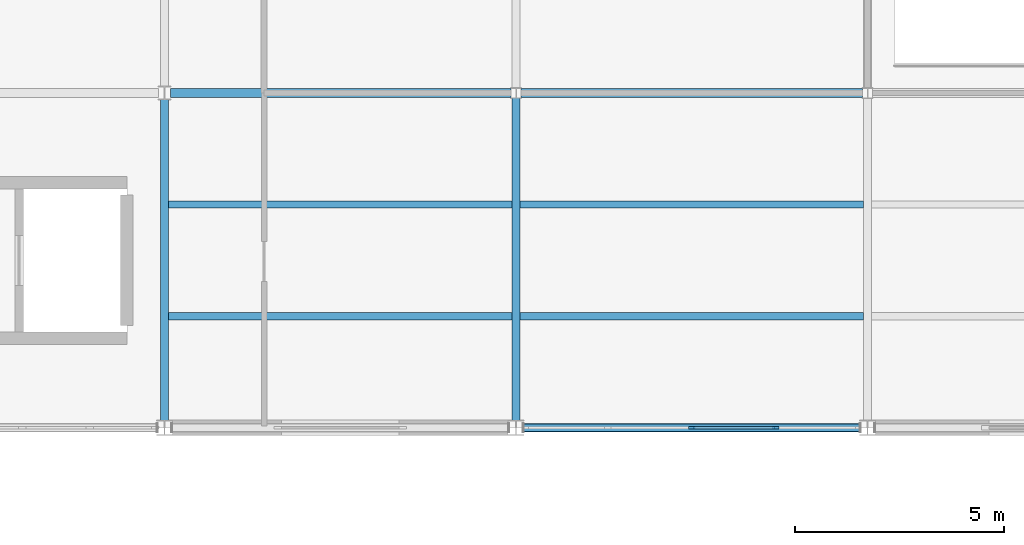
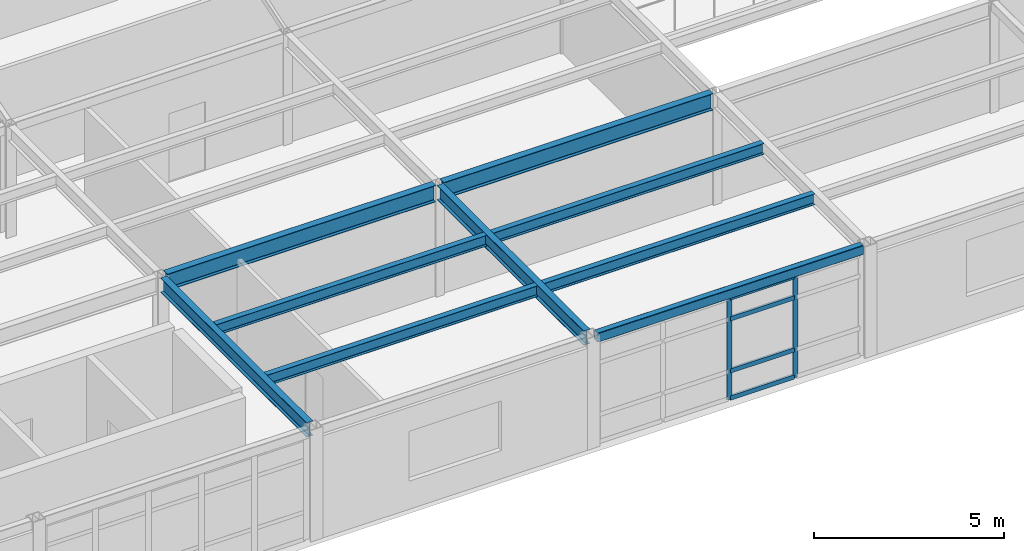
# One storey, part 11 of 96: 9 beams, 6 members, 1 element without a shape of its own.
"""IFC4 building model written with IfcOpenShell, lengths in metres."""

from ifc_helpers import new_model, si_unit, direction, frame, origin, origin_2d, place, context, subcontext, project, spatial, rectangle, hollow_rectangle, i_section, extrude, material, layer, layer_set, material_profile, profile_set, type_object, element, aggregate, save


model = new_model("IFC4")

# Units and contexts
model_context = context("Model", 3, precision=1e-05, world=origin(), true_north=direction((0.0, 1.0)))
body_context = subcontext(model_context, "Body", "Model", "MODEL_VIEW")
ifc_project = project(units=[si_unit("LENGTHUNIT", "METRE"), si_unit("AREAUNIT", "SQUARE_METRE"), si_unit("VOLUMEUNIT", "CUBIC_METRE"), si_unit("PLANEANGLEUNIT", "RADIAN"), si_unit("MASSUNIT", "GRAM", prefix="KILO")], contexts=[model_context])

# Site, building, storey
site_placement = place(None, origin())
site = spatial("IfcSite", under=ifc_project, at=site_placement, CompositionType="ELEMENT")
building_placement = place(site_placement, origin())
building = spatial("IfcBuilding", under=site, at=building_placement, Name="Kranzveld Transit Interchange", CompositionType="ELEMENT")
storey_placement = place(building_placement, frame((0.0, 0.0, 9.52001953125)))
storey = spatial("IfcBuildingStorey", under=building, at=storey_placement, Name="L02", CompositionType="ELEMENT", Elevation=9.52001953125)

# Beams
ifc_material_1 = material(Name="Steel S355JR", Category="steel")
ifc_material_profile_1 = material_profile(ifc_material_1, i_section(OverallWidth=0.19189453125, OverallDepth=0.46337890625, WebThickness=0.010498046875, FlangeThickness=0.017578125, FilletRadius=0.01025390625, at=origin_2d()), Name="UB 457x191x89")
ifc_profile_set_1 = profile_set([ifc_material_profile_1], Name="Steel S355JR")
beam_type_1 = type_object("IfcBeamType", Name="Beam Steel UB 457x191x89 S355JR", PredefinedType="BEAM", material=ifc_profile_set_1)
beam_1_placement = place(storey_placement, frame((16.800048828125, 16.17724609375, 3.33837890625), z_axis=(0.0, 1.0, 0.0), x_axis=(-1.0, 0.0, 0.0)))
element("IfcBeam", 1, at=beam_1_placement, inside=storey, type_object=beam_type_1, Name="L02 Girder 03/C-D", PredefinedType="BEAM", context=body_context, shape_type="SweptSolid", body=[
    extrude(i_section(OverallWidth=0.19189453125, OverallDepth=0.46337890625, WebThickness=0.010498046875, FlangeThickness=0.017578125, FilletRadius=0.01025390625, at=origin_2d()), origin(), (0.0, 0.0, 1.0), 7.662841796875),
])
beam_2_placement = place(storey_placement, frame((25.199951171875, 16.17724609375, 3.33837890625), z_axis=(0.0, 1.0, 0.0), x_axis=(-1.0, 0.0, 0.0)))
element("IfcBeam", 2, at=beam_2_placement, inside=storey, type_object=beam_type_1, Name="L02 Girder 04/C-D", PredefinedType="BEAM", context=body_context, shape_type="SweptSolid", body=[
    extrude(i_section(OverallWidth=0.19189453125, OverallDepth=0.46337890625, WebThickness=0.010498046875, FlangeThickness=0.017578125, FilletRadius=0.01025390625, at=origin_2d()), origin(), (0.0, 0.0, 1.0), 7.699462890625),
])

# Curtain wall, members
ifc_material_2 = material(Name="Bronze-anodised thermally broken aluminium", Category="aluminium")
ifc_layer = layer(ifc_material_2, 0.159912109375)
ifc_layer_set = layer_set([ifc_layer], Name="Bronze-anodised thermally broken aluminium")
curtain_wall_type = type_object("IfcCurtainWallType", Name="Bus Boarding Glazed Screen CW-3", PredefinedType="USERDEFINED", material=ifc_layer_set)
curtain_wall_placement = place(storey_placement, origin())
curtain_wall = element("IfcCurtainWall", 3, at=curtain_wall_placement, inside=storey, type_object=curtain_wall_type, Name="L02 Curtain Wall 04/C-05/C", ObjectType="CURTAIN WALL", PredefinedType="USERDEFINED")
ifc_material_3 = material(Name="Bronze-anodised thermally broken aluminium", Category="aluminium")
ifc_material_profile_2 = material_profile(ifc_material_3, rectangle(XDim=0.06005859375, YDim=0.14990234375, at=origin_2d()), Name="ALU MULLION 60x150")
ifc_profile_set_2 = profile_set([ifc_material_profile_2], Name="Bronze-anodised thermally broken aluminium")
member_type_1 = type_object("IfcMemberType", Name="Curtain Wall Mullion 60x150 Alu", PredefinedType="MULLION", material=ifc_profile_set_2)
member_1_placement = place(storey_placement, frame((29.39990234375, 16.0, 0.0), z_axis=(0.0, 0.0, 1.0), x_axis=(0.0, 1.0, 0.0)))
member_1 = element("IfcMember", 4, at=member_1_placement, type_object=member_type_1, Name="CW-3 mullion 3", PredefinedType="MULLION", context=body_context, shape_type="SweptSolid", body=[
    extrude(rectangle(XDim=0.06005859375, YDim=0.14990234375, at=origin_2d()), origin(), (0.0, 0.0, 1.0), 3.27001953125),
])
member_2_placement = place(storey_placement, frame((31.40625, 16.0, 0.0), z_axis=(0.0, 0.0, 1.0), x_axis=(0.0, 1.0, 0.0)))
member_2 = element("IfcMember", 5, at=member_2_placement, type_object=member_type_1, Name="CW-3 mullion 4", PredefinedType="MULLION", context=body_context, shape_type="SweptSolid", body=[
    extrude(rectangle(XDim=0.06005859375, YDim=0.14990234375, at=origin_2d()), origin(), (0.0, 0.0, 1.0), 3.27001953125),
])
ifc_material_4 = material(Name="Bronze-anodised thermally broken aluminium", Category="aluminium")
ifc_material_profile_3 = material_profile(ifc_material_4, rectangle(XDim=0.06494140625, YDim=0.139892578125, at=origin_2d()), Name="ALU TRANSOM 65x140")
ifc_profile_set_3 = profile_set([ifc_material_profile_3], Name="Bronze-anodised thermally broken aluminium")
member_type_2 = type_object("IfcMemberType", Name="Curtain Wall Transom 65x140 Alu", PredefinedType="USERDEFINED", material=ifc_profile_set_3)
member_3_placement = place(storey_placement, frame((29.429931640625, 16.0, 0.032470703125), z_axis=(1.0, 0.0, 0.0), x_axis=(0.0, 1.0, 0.0)))
member_3 = element("IfcMember", 6, at=member_3_placement, type_object=member_type_2, Name="CW-3 transom 3.1", ObjectType="TRANSOM", PredefinedType="USERDEFINED", context=body_context, shape_type="SweptSolid", body=[
    extrude(rectangle(XDim=0.06494140625, YDim=0.139892578125, at=origin_2d()), origin(), (0.0, 0.0, 1.0), 1.946533203125),
])
member_4_placement = place(storey_placement, frame((29.429931640625, 16.0, 0.89990234375), z_axis=(1.0, 0.0, 0.0), x_axis=(0.0, 1.0, 0.0)))
member_4 = element("IfcMember", 7, at=member_4_placement, type_object=member_type_2, Name="CW-3 transom 3.2", ObjectType="TRANSOM", PredefinedType="USERDEFINED", context=body_context, shape_type="SweptSolid", body=[
    extrude(rectangle(XDim=0.06494140625, YDim=0.139892578125, at=origin_2d()), origin(), (0.0, 0.0, 1.0), 1.946533203125),
])
member_5_placement = place(storey_placement, frame((29.429931640625, 16.0, 2.570068359375), z_axis=(1.0, 0.0, 0.0), x_axis=(0.0, 1.0, 0.0)))
member_5 = element("IfcMember", 8, at=member_5_placement, type_object=member_type_2, Name="CW-3 transom 3.3", ObjectType="TRANSOM", PredefinedType="USERDEFINED", context=body_context, shape_type="SweptSolid", body=[
    extrude(rectangle(XDim=0.06494140625, YDim=0.139892578125, at=origin_2d()), origin(), (0.0, 0.0, 1.0), 1.946533203125),
])
member_6_placement = place(storey_placement, frame((29.429931640625, 16.0, 3.237548828125), z_axis=(1.0, 0.0, 0.0), x_axis=(0.0, 1.0, 0.0)))
member_6 = element("IfcMember", 9, at=member_6_placement, type_object=member_type_2, Name="CW-3 transom 3.4", ObjectType="TRANSOM", PredefinedType="USERDEFINED", context=body_context, shape_type="SweptSolid", body=[
    extrude(rectangle(XDim=0.06494140625, YDim=0.139892578125, at=origin_2d()), origin(), (0.0, 0.0, 1.0), 1.946533203125),
])
aggregate(curtain_wall, [member_1, member_2, member_3, member_4, member_5, member_6])

# Beams
ifc_material_5 = material(Name="Steel S355JR", Category="steel")
ifc_material_profile_4 = material_profile(ifc_material_5, hollow_rectangle(XDim=0.199951171875, YDim=0.300048828125, WallThickness=0.010009765625, InnerFilletRadius=0.014892578125, OuterFilletRadius=0.02490234375, at=origin_2d()), Name="RHS 300x200x10")
ifc_profile_set_4 = profile_set([ifc_material_profile_4], Name="Steel S355JR")
beam_type_2 = type_object("IfcBeamType", Name="Edge Spandrel RHS 300x200x10 S355JR", PredefinedType="SPANDREL", material=ifc_profile_set_4)
beam_3_placement = place(storey_placement, frame((25.377197265625, 16.0, 3.419921875), z_axis=(1.0, 0.0, 0.0), x_axis=(0.0, 1.0, 0.0)))
element("IfcBeam", 10, at=beam_3_placement, inside=storey, type_object=beam_type_2, Name="L02 Girder 04-05/C", PredefinedType="SPANDREL", context=body_context, shape_type="SweptSolid", body=[
    extrude(hollow_rectangle(XDim=0.199951171875, YDim=0.300048828125, WallThickness=0.010009765625, InnerFilletRadius=0.014892578125, OuterFilletRadius=0.02490234375, at=origin_2d()), origin(), (0.0, 0.0, 1.0), 8.04541015625),
])
ifc_material_6 = material(Name="Steel S355JR", Category="steel")
ifc_material_profile_5 = material_profile(ifc_material_6, i_section(OverallWidth=0.171142578125, OverallDepth=0.351318359375, WebThickness=0.007080078125, FlangeThickness=0.009765625, FilletRadius=0.01025390625, at=origin_2d()), Name="UB 356x171x45")
ifc_profile_set_5 = profile_set([ifc_material_profile_5], Name="Steel S355JR")
beam_type_3 = type_object("IfcBeamType", Name="Floor Joist UB 356x171x45 S355JR", PredefinedType="JOIST", material=ifc_profile_set_5)
for number, where, z_axis, x_axis, name in (
    (11, (16.89794921875, 18.666748046875, 3.394287109375), (1.0, 0.0, 0.0), (0.0, 1.0, 0.0), "L02 Secondary Joist 03-04/C.1"),
    (12, (16.89794921875, 21.333251953125, 3.394287109375), (1.0, 0.0, 0.0), (0.0, 1.0, 0.0), "L02 Secondary Joist 03-04/C.2"),
    (13, (25.2978515625, 18.666748046875, 3.394287109375), (1.0, 0.0, 0.0), (0.0, 1.0, 0.0), "L02 Secondary Joist 04-05/C.1"),
    (14, (25.2978515625, 21.333251953125, 3.394287109375), (1.0, 0.0, 0.0), (0.0, 1.0, 0.0), "L02 Secondary Joist 04-05/C.2"),
):
    element("IfcBeam", number, at=place(storey_placement, frame(where, z_axis=z_axis, x_axis=x_axis)), inside=storey, type_object=beam_type_3, Name=name, PredefinedType="JOIST", context=body_context, shape_type="SweptSolid", body=[
        extrude(i_section(OverallWidth=0.171142578125, OverallDepth=0.351318359375, WebThickness=0.007080078125, FlangeThickness=0.009765625, FilletRadius=0.01025390625, at=origin_2d()), origin(), (0.0, 0.0, 1.0), 8.2041015625),
    ])
ifc_material_7 = material(Name="Steel S355JR", Category="steel")
ifc_material_profile_6 = material_profile(ifc_material_7, i_section(OverallWidth=0.209228515625, OverallDepth=0.533203125, WebThickness=0.010009765625, FlangeThickness=0.015625, FilletRadius=0.0126953125, at=origin_2d()), Name="UB 533x210x92")
ifc_profile_set_6 = profile_set([ifc_material_profile_6], Name="Steel S355JR")
beam_type_4 = type_object("IfcBeamType", Name="Girder Steel UB 533x210x92 S355JR", PredefinedType="BEAM", material=ifc_profile_set_6)
beam_4_placement = place(storey_placement, frame((16.947265625, 24.0, 3.303466796875), z_axis=(1.0, 0.0, 0.0), x_axis=(0.0, 1.0, 0.0)))
element("IfcBeam", 15, at=beam_4_placement, inside=storey, type_object=beam_type_4, Name="L02 Girder 03-04/D", PredefinedType="BEAM", context=body_context, shape_type="SweptSolid", body=[
    extrude(i_section(OverallWidth=0.209228515625, OverallDepth=0.533203125, WebThickness=0.010009765625, FlangeThickness=0.015625, FilletRadius=0.0126953125, at=origin_2d()), origin(), (0.0, 0.0, 1.0), 8.13330078125),
])
beam_5_placement = place(storey_placement, frame((25.3193359375, 24.0, 3.303466796875), z_axis=(1.0, 0.0, 0.0), x_axis=(0.0, 1.0, 0.0)))
element("IfcBeam", 16, at=beam_5_placement, inside=storey, type_object=beam_type_4, Name="L02 Girder 04-05/D", PredefinedType="BEAM", context=body_context, shape_type="SweptSolid", body=[
    extrude(i_section(OverallWidth=0.209228515625, OverallDepth=0.533203125, WebThickness=0.010009765625, FlangeThickness=0.015625, FilletRadius=0.0126953125, at=origin_2d()), origin(), (0.0, 0.0, 1.0), 8.161376953125),
])

save(model, "model.ifc")
